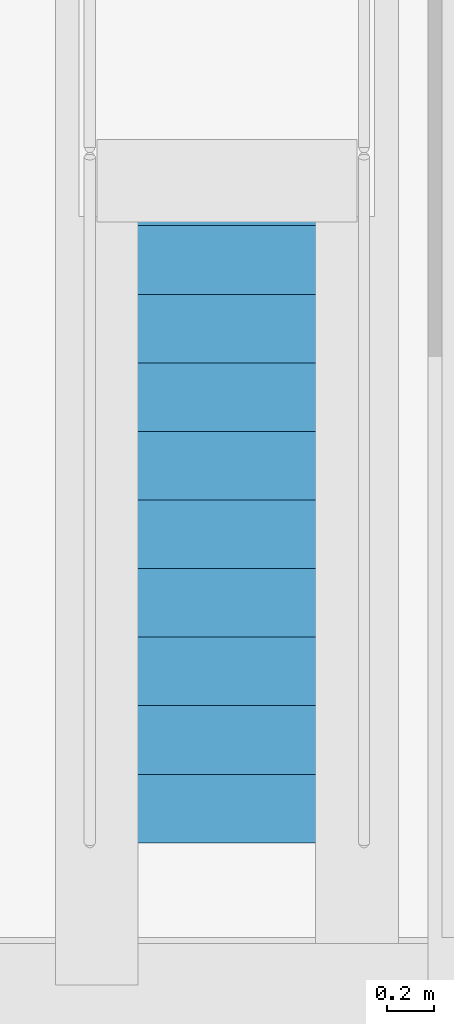
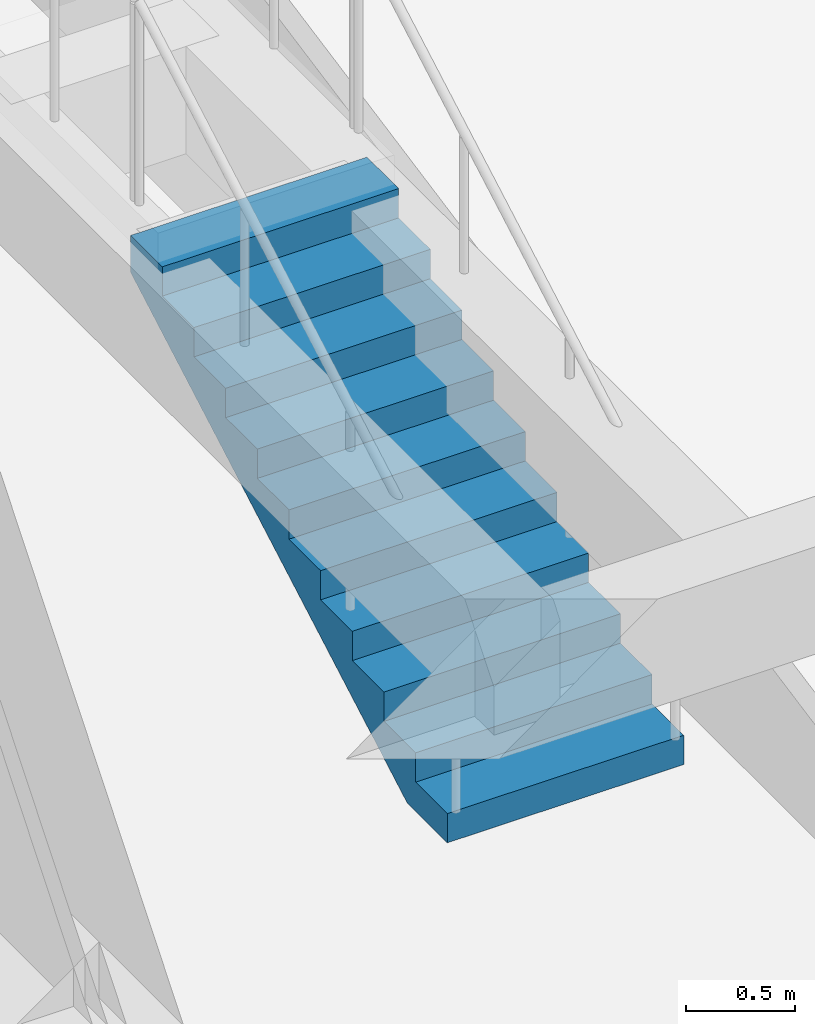
# One storey, part 7 of 8: 1 stair flight, 1 element without a shape of its own.
"""IFC4 building model written with IfcOpenShell, lengths in metres."""

from ifc_helpers import new_model, si_unit, direction, frame, origin, place, context, subcontext, project, spatial, polyline, outline, extrude, material, type_object, element, aggregate, save


model = new_model("IFC4")

# Units and contexts
model_context = context("Model", 3, precision=1e-05, world=origin(), true_north=direction((0.0, 1.0)))
body_context = subcontext(model_context, "Body", "Model", "MODEL_VIEW")
ifc_project = project(units=[si_unit("LENGTHUNIT", "METRE"), si_unit("AREAUNIT", "SQUARE_METRE"), si_unit("VOLUMEUNIT", "CUBIC_METRE"), si_unit("PLANEANGLEUNIT", "RADIAN"), si_unit("MASSUNIT", "GRAM", prefix="KILO")], contexts=[model_context])

# Site, building, storey
site_placement = place(None, origin())
site = spatial("IfcSite", under=ifc_project, at=site_placement, CompositionType="ELEMENT")
building_placement = place(site_placement, origin())
building = spatial("IfcBuilding", under=site, at=building_placement, Name="Qorikala Patio Media Centre", CompositionType="ELEMENT")
storey_placement = place(building_placement, frame((0.0, 0.0, 27.89990234375)))
storey = spatial("IfcBuildingStorey", under=building, at=storey_placement, Name="L06", CompositionType="ELEMENT", Elevation=27.89990234375)

# Stair, stair flight
ifc_material = material(Name="Concrete C35/45", Category="concrete")
stair_type = type_object("IfcStairType", Name="ST-VOM-STR", PredefinedType="STRAIGHT_RUN_STAIR", material=ifc_material)
stair_placement = place(storey_placement, origin())
stair = element("IfcStair", 1, at=stair_placement, inside=storey, type_object=stair_type, Name="Vomitory Stair VS-08", PredefinedType="STRAIGHT_RUN_STAIR")
stair_flight_type = type_object("IfcStairFlightType", Name="FL-VOM-STR", PredefinedType="STRAIGHT", material=ifc_material)
stair_flight_placement = place(storey_placement, frame((5.949951171875, 19.60009765625, 0.0), z_axis=(0.0, 0.0, 1.0), x_axis=(0.0, 1.0, 0.0)))
stair_flight = element("IfcStairFlight", 2, at=stair_flight_placement, type_object=stair_flight_type, Name="VS-08 flight 1", NumberOfRisers=11, NumberOfTreads=10, PredefinedType="STRAIGHT", RiserHeight=0.16364, TreadLength=0.29, context=body_context, shape_type="SweptSolid", body=[
    extrude(outline(polyline([(0.0, 0.0), (0.0, 0.16357421875), (0.2900390625, 0.16357421875), (0.2900390625, 0.327392578125), (0.580078125, 0.327392578125), (0.580078125, 0.490966796875), (0.8701171875, 0.490966796875), (0.8701171875, 0.654541015625), (1.159912109375, 0.654541015625), (1.159912109375, 0.818115234375), (1.449951171875, 0.818115234375), (1.449951171875, 0.98193359375), (1.739990234375, 0.98193359375), (1.739990234375, 1.1455078125), (2.030029296875, 1.1455078125), (2.030029296875, 1.30908203125), (2.320068359375, 1.30908203125), (2.320068359375, 1.47265625), (2.610107421875, 1.47265625), (2.610107421875, 1.636474609375), (2.89990234375, 1.636474609375), (2.89990234375, 1.800048828125), (2.89990234375, 1.4296875), (0.3662109375, 0.0), (0.0, 0.0)])), frame((0.0, 0.625, 0.0), z_axis=(0.0, -1.0, 0.0), x_axis=(1.0, 0.0, 0.0)), (0.0, 0.0, 1.0), 1.25),
])
aggregate(stair, [stair_flight])

save(model, "model.ifc")
